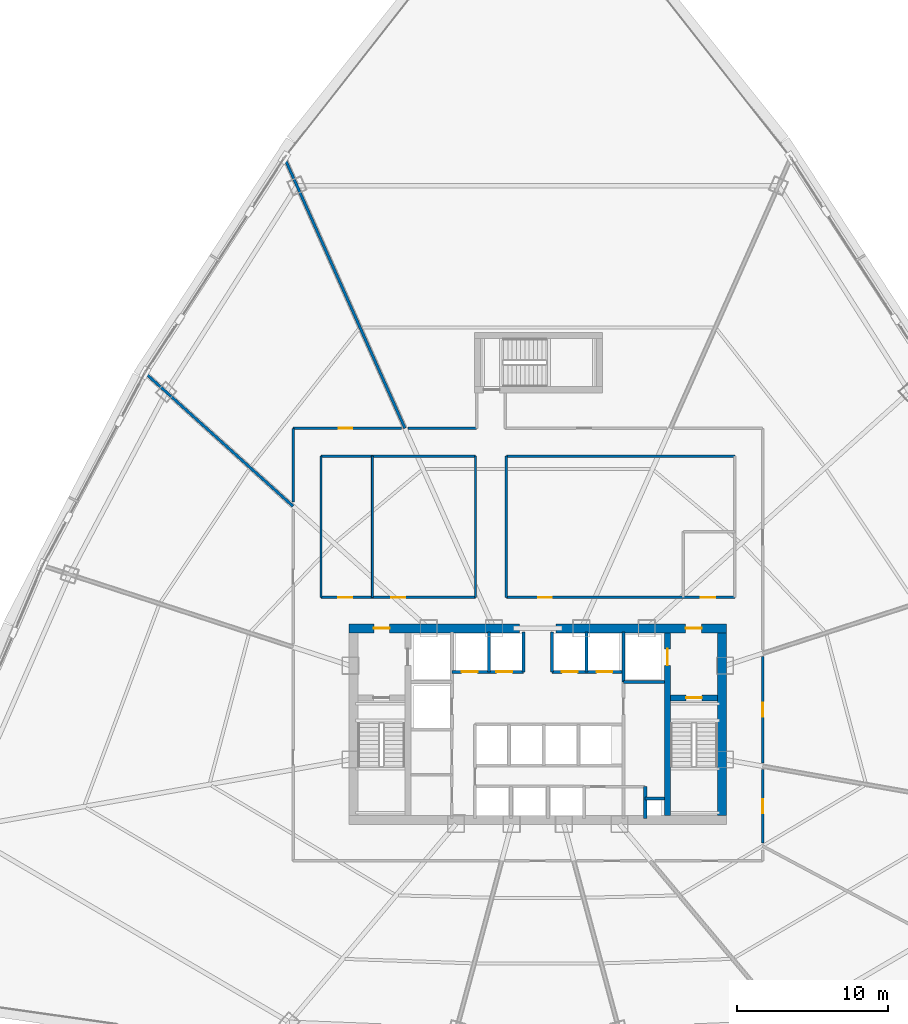
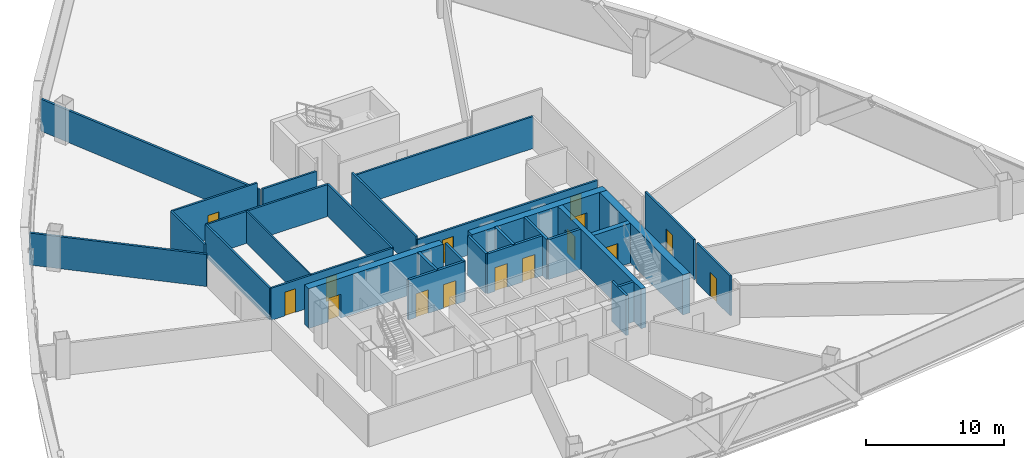
# One storey, part 33 of 39: 30 walls, 15 doors, 15 openings.
"""IFC4 building model written with IfcOpenShell, lengths in metres."""

from ifc_helpers import new_model, si_unit, direction, frame, frame_2d, origin, origin_with_axes, place, context, subcontext, project, spatial, rectangle, extrude, source, transform, mapped, material, layer, layer_set, type_object, element, fill, save


model = new_model("IFC4")

# Units and contexts
model_context = context("Model", 3, precision=1e-05, world=origin(), true_north=direction((0.0, 1.0)))
body_context = subcontext(model_context, "Body", "Model", "MODEL_VIEW")
ifc_project = project(units=[si_unit("LENGTHUNIT", "METRE"), si_unit("AREAUNIT", "SQUARE_METRE"), si_unit("VOLUMEUNIT", "CUBIC_METRE"), si_unit("PLANEANGLEUNIT", "RADIAN"), si_unit("MASSUNIT", "GRAM", prefix="KILO"), si_unit("THERMODYNAMICTEMPERATUREUNIT", "KELVIN"), si_unit("POWERUNIT", "WATT")], contexts=[model_context])

# Site, building, storey
site_placement = place(None, origin())
site = spatial("IfcSite", under=ifc_project, at=site_placement, CompositionType="ELEMENT")
building_placement = place(site_placement, origin())
building = spatial("IfcBuilding", under=site, at=building_placement, Name="Yunzhuo Pagoda Commons", CompositionType="ELEMENT")
storey_placement = place(building_placement, frame((0.0, 0.0, 96.3798828125)))
storey = spatial("IfcBuildingStorey", under=building, at=storey_placement, Name="L24", CompositionType="ELEMENT", Elevation=96.3798828125)

# Wall, opening, door
ifc_material_1 = material(Name="Concrete C60", Category="concrete")
ifc_layer_1 = layer(ifc_material_1, 0.60009765625)
ifc_layer_set_1 = layer_set([ifc_layer_1], Name="Concrete C60")
wall_type_1 = type_object("IfcWallType", Name="W-C02 Mid Core Shear Wall 600", PredefinedType="SHEAR", material=ifc_layer_set_1)
wall_1_placement = place(storey_placement, frame((35.5, 40.199951171875, 0.0), z_axis=(0.0, 0.0, 1.0), x_axis=(1.0, 0.0, 0.0)))
wall_1 = element("IfcWall", 1, at=wall_1_placement, inside=storey, type_object=wall_type_1, Name="L24 core shear wall NW", PredefinedType="SHEAR", context=body_context, shape_type="SweptSolid", body=[
    extrude(rectangle(XDim=11.300048828125, YDim=0.60009765625, at=frame_2d((5.64990234375, 0.0))), origin(), (0.0, 0.0, 1.0), 3.5400390625),
])
opening_1_placement = place(wall_1_placement, frame((1.64990234375, 0.0, 0.0)))
opening_1 = element("IfcOpeningElement", 2, at=opening_1_placement, cuts=wall_1, Name="Opening D-02", PredefinedType="OPENING", context=body_context, shape_type="SweptSolid", body=[
    extrude(rectangle(XDim=1.050048828125, YDim=2.10009765625, at=frame_2d((0.52490234375, 1.050048828125))), frame((0.0, 0.31005859375, 0.0), z_axis=(0.0, -1.0, 0.0), x_axis=(1.0, 0.0, 0.0)), (0.0, 0.0, 1.0), 0.6201171875),
])
ifc_material_2 = material(Name="Galvanized fire-resisting metal leaf")
door_type_1 = type_object("IfcDoorType", Name="D-02 Firefighting Lobby & Refuge Fire Door 1050x2100", OperationType="NOTDEFINED", PredefinedType="DOOR", material=ifc_material_2)
shared_shape_1 = source(origin(), body_context, "Body", "SweptSolid", [
    extrude(rectangle(XDim=1.050048828125, YDim=2.10009765625, at=frame_2d((0.52490234375, 1.050048828125))), frame((0.0, 0.02490234375, 0.0), z_axis=(0.0, -1.0, 0.0), x_axis=(1.0, 0.0, 0.0)), (0.0, 0.0, 1.0), 0.050048828125),
])
door_1_placement = place(opening_1_placement, frame((1.050048828125, 0.0, 0.0), z_axis=(0.0, 0.0, 1.0), x_axis=(-1.0, 0.0, 0.0)))
door_1 = element("IfcDoor", 3, at=door_1_placement, inside=storey, type_object=door_type_1, Name="L24 Firefighting Lobby 1 fire door", OperationType="SINGLE_SWING_LEFT", OverallHeight=2.10009765625, OverallWidth=1.050048828125, PredefinedType="DOOR", context=body_context, shape_type="MappedRepresentation", body=[
    mapped(shared_shape_1, transform((0.0, 0.0, 0.0), scale=1.0)),
])
fill(opening_1, door_1)

wall_2_placement = place(storey_placement, frame((49.199951171875, 40.199951171875, 0.0), z_axis=(0.0, 0.0, 1.0), x_axis=(1.0, 0.0, 0.0)))
wall_2 = element("IfcWall", 4, at=wall_2_placement, inside=storey, type_object=wall_type_1, Name="L24 core shear wall NE", PredefinedType="SHEAR", context=body_context, shape_type="SweptSolid", body=[
    extrude(rectangle(XDim=11.300048828125, YDim=0.60009765625, at=frame_2d((5.64990234375, 0.0))), origin(), (0.0, 0.0, 1.0), 3.5400390625),
])
opening_2_placement = place(wall_2_placement, frame((8.60009765625, 0.0, 0.0)))
opening_2 = element("IfcOpeningElement", 5, at=opening_2_placement, cuts=wall_2, Name="Opening D-02", PredefinedType="OPENING", context=body_context, shape_type="SweptSolid", body=[
    extrude(rectangle(XDim=1.050048828125, YDim=2.10009765625, at=frame_2d((0.52490234375, 1.050048828125))), frame((0.0, 0.31005859375, 0.0), z_axis=(0.0, -1.0, 0.0), x_axis=(1.0, 0.0, 0.0)), (0.0, 0.0, 1.0), 0.6201171875),
])
door_2_placement = place(opening_2_placement, frame((1.050048828125, 0.0, 0.0), z_axis=(0.0, 0.0, 1.0), x_axis=(-1.0, 0.0, 0.0)))
door_2 = element("IfcDoor", 6, at=door_2_placement, inside=storey, type_object=door_type_1, Name="L24 Firefighting Lobby 2 fire door", OperationType="SINGLE_SWING_RIGHT", OverallHeight=2.10009765625, OverallWidth=1.050048828125, PredefinedType="DOOR", context=body_context, shape_type="MappedRepresentation", body=[
    mapped(shared_shape_1, transform((0.0, 0.0, 0.0), scale=1.0)),
])
fill(opening_2, door_2)

# Wall
wall_3_placement = place(storey_placement, frame((60.199951171875, 27.800048828125, 0.0), z_axis=(0.0, 0.0, 1.0), x_axis=(0.0, 1.0, 0.0)))
element("IfcWall", 7, at=wall_3_placement, inside=storey, type_object=wall_type_1, Name="L24 core shear wall E", PredefinedType="SHEAR", context=body_context, shape_type="SweptSolid", body=[
    extrude(rectangle(XDim=12.099853515625, YDim=0.60009765625, at=frame_2d((6.0498046875, 0.0))), origin(), (0.0, 0.0, 1.0), 3.5400390625),
])

# Wall, openings, doors
ifc_material_3 = material(Name="Gypsum plasterboard on acoustic stud")
ifc_layer_2 = layer(ifc_material_3, 0.159912109375)
ifc_layer_set_2 = layer_set([ifc_layer_2], Name="Gypsum plasterboard on acoustic stud")
wall_type_2 = type_object("IfcWallType", Name="W-COR1 Tower Rated Corridor Wall 160", PredefinedType="PARTITIONING", material=ifc_layer_set_2)
wall_4_placement = place(storey_placement, frame((33.64990234375, 42.25, 0.0), z_axis=(0.0, 0.0, 1.0), x_axis=(1.0, 0.0, 0.0)))
wall_4 = element("IfcWall", 8, at=wall_4_placement, inside=storey, type_object=wall_type_2, Name="L24 interior wall IW-L24-ISLWS", PredefinedType="PARTITIONING", context=body_context, shape_type="SweptSolid", body=[
    extrude(rectangle(XDim=10.22998046875, YDim=0.159912109375, at=frame_2d((5.114990234375, 0.0))), origin(), (0.0, 0.0, 1.0), 2.840087890625),
])
opening_3_placement = place(wall_4_placement, frame((1.14990234375, 0.0, 0.0)))
opening_3 = element("IfcOpeningElement", 9, at=opening_3_placement, cuts=wall_4, Name="Opening D-04", PredefinedType="OPENING", context=body_context, shape_type="SweptSolid", body=[
    extrude(rectangle(XDim=0.919921875, YDim=2.10009765625, at=frame_2d((0.4599609375, 1.050048828125))), frame((0.0, 0.08984375, 0.0), z_axis=(0.0, -1.0, 0.0), x_axis=(1.0, 0.0, 0.0)), (0.0, 0.0, 1.0), 0.179931640625),
])
opening_4_placement = place(wall_4_placement, frame((4.64990234375, 0.0, 0.0)))
opening_4 = element("IfcOpeningElement", 10, at=opening_4_placement, cuts=wall_4, Name="Opening D-04", PredefinedType="OPENING", context=body_context, shape_type="SweptSolid", body=[
    extrude(rectangle(XDim=0.919921875, YDim=2.10009765625, at=frame_2d((0.4599609375, 1.050048828125))), frame((0.0, 0.08984375, 0.0), z_axis=(0.0, -1.0, 0.0), x_axis=(1.0, 0.0, 0.0)), (0.0, 0.0, 1.0), 0.179931640625),
])
ifc_material_4 = material(Name="Powder-coated aluminium and timber acoustic leaf", Category="wood")
door_type_2 = type_object("IfcDoorType", Name="D-04 Bedroom & Study Interior Door 920x2100", OperationType="NOTDEFINED", PredefinedType="DOOR", material=ifc_material_4)
shared_shape_2 = source(origin(), body_context, "Body", "SweptSolid", [
    extrude(rectangle(XDim=0.919921875, YDim=2.10009765625, at=frame_2d((0.4599609375, 1.050048828125))), frame((0.0, 0.02490234375, 0.0), z_axis=(0.0, -1.0, 0.0), x_axis=(1.0, 0.0, 0.0)), (0.0, 0.0, 1.0), 0.050048828125),
])
door_3_placement = place(opening_3_placement, frame((0.919921875, 0.0, 0.0), z_axis=(0.0, 0.0, 1.0), x_axis=(-1.0, 0.0, 0.0)))
door_3 = element("IfcDoor", 11, at=door_3_placement, inside=storey, type_object=door_type_2, Name="L24 laundry door", OperationType="SINGLE_SWING_LEFT", OverallHeight=2.10009765625, OverallWidth=0.919921875, PredefinedType="DOOR", context=body_context, shape_type="MappedRepresentation", body=[
    mapped(shared_shape_2, transform((0.0, 0.0, 0.0), scale=1.0)),
])
fill(opening_3, door_3)
door_4_placement = place(opening_4_placement, frame((0.919921875, 0.0, 0.0), z_axis=(0.0, 0.0, 1.0), x_axis=(-1.0, 0.0, 0.0)))
door_4 = element("IfcDoor", 12, at=door_4_placement, inside=storey, type_object=door_type_2, Name="L24 study commons W door", OperationType="SINGLE_SWING_RIGHT", OverallHeight=2.10009765625, OverallWidth=0.919921875, PredefinedType="DOOR", context=body_context, shape_type="MappedRepresentation", body=[
    mapped(shared_shape_2, transform((0.0, 0.0, 0.0), scale=1.0)),
])
fill(opening_4, door_4)

# Walls
wall_5_placement = place(storey_placement, frame((33.64990234375, 51.60009765625, 0.0), z_axis=(0.0, 0.0, 1.0), x_axis=(1.0, 0.0, 0.0)))
element("IfcWall", 13, at=wall_5_placement, inside=storey, type_object=wall_type_2, Name="L24 interior wall IW-L24-ISLWN", PredefinedType="PARTITIONING", context=body_context, shape_type="SweptSolid", body=[
    extrude(rectangle(XDim=10.22998046875, YDim=0.159912109375, at=frame_2d((5.114990234375, 0.0))), origin(), (0.0, 0.0, 1.0), 2.840087890625),
])
for number, where, z_axis, x_axis, name in (
    (14, (33.64990234375, 42.25, 0.0), (0.0, 0.0, 1.0), (0.0, 1.0, 0.0), "L24 interior wall IW-L24-ISLWW"),
    (15, (43.8798828125, 42.25, 0.0), (0.0, 0.0, 1.0), (0.0, 1.0, 0.0), "L24 interior wall IW-L24-ISLWE"),
):
    element("IfcWall", number, at=place(storey_placement, frame(where, z_axis=z_axis, x_axis=x_axis)), inside=storey, type_object=wall_type_2, Name=name, PredefinedType="PARTITIONING", context=body_context, shape_type="SweptSolid", body=[
        extrude(rectangle(XDim=9.35009765625, YDim=0.159912109375, at=frame_2d((4.675048828125, 0.0))), origin(), (0.0, 0.0, 1.0), 2.840087890625),
    ])

# Wall, openings, doors
wall_6_placement = place(storey_placement, frame((45.919921875, 42.25, 0.0), z_axis=(0.0, 0.0, 1.0), x_axis=(1.0, 0.0, 0.0)))
wall_6 = element("IfcWall", 16, at=wall_6_placement, inside=storey, type_object=wall_type_2, Name="L24 interior wall IW-L24-ISLES", PredefinedType="PARTITIONING", context=body_context, shape_type="SweptSolid", body=[
    extrude(rectangle(XDim=15.130126953125, YDim=0.159912109375, at=frame_2d((7.56494140625, 0.0))), origin(), (0.0, 0.0, 1.0), 2.840087890625),
])
opening_5_placement = place(wall_6_placement, frame((2.10009765625, 0.0, 0.0)))
opening_5 = element("IfcOpeningElement", 17, at=opening_5_placement, cuts=wall_6, Name="Opening D-04", PredefinedType="OPENING", context=body_context, shape_type="SweptSolid", body=[
    extrude(rectangle(XDim=0.919921875, YDim=2.10009765625, at=frame_2d((0.4599609375, 1.050048828125))), frame((0.0, 0.08984375, 0.0), z_axis=(0.0, -1.0, 0.0), x_axis=(1.0, 0.0, 0.0)), (0.0, 0.0, 1.0), 0.179931640625),
])
opening_6_placement = place(wall_6_placement, frame((12.8798828125, 0.0, 0.0)))
opening_6 = element("IfcOpeningElement", 18, at=opening_6_placement, cuts=wall_6, Name="Opening D-11", PredefinedType="OPENING", context=body_context, shape_type="SweptSolid", body=[
    extrude(rectangle(XDim=0.93994140625, YDim=2.10009765625, at=frame_2d((0.469970703125, 1.050048828125))), frame((0.0, 0.08984375, 0.0), z_axis=(0.0, -1.0, 0.0), x_axis=(1.0, 0.0, 0.0)), (0.0, 0.0, 1.0), 0.179931640625),
])
door_type_3 = type_object("IfcDoorType", Name="D-11 Accessible Washroom Fire Door 940x2100", OperationType="NOTDEFINED", PredefinedType="DOOR", material=ifc_material_2)
shared_shape_3 = source(origin(), body_context, "Body", "SweptSolid", [
    extrude(rectangle(XDim=0.93994140625, YDim=2.10009765625, at=frame_2d((0.469970703125, 1.050048828125))), frame((0.0, 0.02490234375, 0.0), z_axis=(0.0, -1.0, 0.0), x_axis=(1.0, 0.0, 0.0)), (0.0, 0.0, 1.0), 0.050048828125),
])
door_5_placement = place(opening_6_placement, frame((0.93994140625, 0.0, 0.0), z_axis=(0.0, 0.0, 1.0), x_axis=(-1.0, 0.0, 0.0)))
door_5 = element("IfcDoor", 19, at=door_5_placement, inside=storey, type_object=door_type_3, Name="L24 accessible WC door", OperationType="SINGLE_SWING_RIGHT", OverallHeight=2.10009765625, OverallWidth=0.93994140625, PredefinedType="DOOR", context=body_context, shape_type="MappedRepresentation", body=[
    mapped(shared_shape_3, transform((0.0, 0.0, 0.0), scale=1.0)),
])
fill(opening_6, door_5)
door_6_placement = place(opening_5_placement, frame((0.919921875, 0.0, 0.0), z_axis=(0.0, 0.0, 1.0), x_axis=(-1.0, 0.0, 0.0)))
door_6 = element("IfcDoor", 20, at=door_6_placement, inside=storey, type_object=door_type_2, Name="L24 reading commons door", OperationType="SINGLE_SWING_LEFT", OverallHeight=2.10009765625, OverallWidth=0.919921875, PredefinedType="DOOR", context=body_context, shape_type="MappedRepresentation", body=[
    mapped(shared_shape_2, transform((0.0, 0.0, 0.0), scale=1.0)),
])
fill(opening_5, door_6)

# Walls
wall_7_placement = place(storey_placement, frame((45.919921875, 51.60009765625, 0.0), z_axis=(0.0, 0.0, 1.0), x_axis=(1.0, 0.0, 0.0)))
element("IfcWall", 21, at=wall_7_placement, inside=storey, type_object=wall_type_2, Name="L24 interior wall IW-L24-ISLEN", PredefinedType="PARTITIONING", context=body_context, shape_type="SweptSolid", body=[
    extrude(rectangle(XDim=15.130126953125, YDim=0.159912109375, at=frame_2d((7.56494140625, 0.0))), origin(), (0.0, 0.0, 1.0), 2.840087890625),
])
wall_8_placement = place(storey_placement, frame((45.919921875, 42.25, 0.0), z_axis=(0.0, 0.0, 1.0), x_axis=(0.0, 1.0, 0.0)))
element("IfcWall", 22, at=wall_8_placement, inside=storey, type_object=wall_type_2, Name="L24 interior wall IW-L24-ISLEW", PredefinedType="PARTITIONING", context=body_context, shape_type="SweptSolid", body=[
    extrude(rectangle(XDim=9.35009765625, YDim=0.159912109375, at=frame_2d((4.675048828125, 0.0))), origin(), (0.0, 0.0, 1.0), 3.14013671875),
])
wall_9_placement = place(storey_placement, frame((31.800048828125, 48.58251953125, 0.0), z_axis=(0.0, 0.0, 1.0), x_axis=(0.0, 1.0, 0.0)))
element("IfcWall", 23, at=wall_9_placement, inside=storey, type_object=wall_type_2, Name="L24 interior wall IW-L24-CWL03", PredefinedType="PARTITIONING", context=body_context, shape_type="SweptSolid", body=[
    extrude(rectangle(XDim=4.867431640625, YDim=0.159912109375, at=frame_2d((2.43359375, 0.0))), origin(), (0.0, 0.0, 1.0), 3.5400390625),
])

# Wall, opening, door
wall_10_placement = place(storey_placement, frame((31.800048828125, 53.449951171875, 0.0), z_axis=(0.0, 0.0, 1.0), x_axis=(1.0, 0.0, 0.0)))
wall_10 = element("IfcWall", 24, at=wall_10_placement, inside=storey, type_object=wall_type_2, Name="L24 interior wall IW-L24-CWL04", PredefinedType="PARTITIONING", context=body_context, shape_type="SweptSolid", body=[
    extrude(rectangle(XDim=7.165771484375, YDim=0.159912109375, at=frame_2d((3.5830078125, 0.0))), origin(), (0.0, 0.0, 1.0), 3.5400390625),
])
opening_7_placement = place(wall_10_placement, frame((3.01318359375, 0.0, 0.0)))
opening_7 = element("IfcOpeningElement", 25, at=opening_7_placement, cuts=wall_10, Name="Opening D-04", PredefinedType="OPENING", context=body_context, shape_type="SweptSolid", body=[
    extrude(rectangle(XDim=0.919921875, YDim=2.10009765625, at=frame_2d((0.4599609375, 1.050048828125))), frame((0.0, 0.08984375, 0.0), z_axis=(0.0, -1.0, 0.0), x_axis=(1.0, 0.0, 0.0)), (0.0, 0.0, 1.0), 0.179931640625),
])
door_7_placement = place(opening_7_placement, origin_with_axes())
door_7 = element("IfcDoor", 26, at=door_7_placement, inside=storey, type_object=door_type_2, Name="L24 seminar room 04 door", OperationType="SINGLE_SWING_LEFT", OverallHeight=2.10009765625, OverallWidth=0.919921875, PredefinedType="DOOR", context=body_context, shape_type="MappedRepresentation", body=[
    mapped(shared_shape_2, transform((0.0, 0.0, 0.0), scale=1.0)),
])
fill(opening_7, door_7)

# Wall
wall_11_placement = place(storey_placement, frame((39.426513671875, 53.449951171875, 0.0), z_axis=(0.0, 0.0, 1.0), x_axis=(1.0, 0.0, 0.0)))
element("IfcWall", 27, at=wall_11_placement, inside=storey, type_object=wall_type_2, Name="L24 interior wall IW-L24-CWL05", PredefinedType="PARTITIONING", context=body_context, shape_type="SweptSolid", body=[
    extrude(rectangle(XDim=4.5234375, YDim=0.159912109375, at=frame_2d((2.26171875, 0.0))), origin(), (0.0, 0.0, 1.0), 2.840087890625),
])

# Wall, opening, door
wall_12_placement = place(storey_placement, frame((62.89990234375, 38.321533203125, 0.0), z_axis=(0.0, 0.0, 1.0), x_axis=(0.0, -1.0, 0.0)))
wall_12 = element("IfcWall", 28, at=wall_12_placement, inside=storey, type_object=wall_type_2, Name="L24 interior wall IW-L24-CWL11", PredefinedType="PARTITIONING", context=body_context, shape_type="SweptSolid", body=[
    extrude(rectangle(XDim=7.029052734375, YDim=0.159912109375, at=frame_2d((3.5146484375, 0.0))), origin(), (0.0, 0.0, 1.0), 3.5400390625),
])
opening_8_placement = place(wall_12_placement, frame((3.054443359375, 0.0, 0.0)))
opening_8 = element("IfcOpeningElement", 29, at=opening_8_placement, cuts=wall_12, Name="Opening D-04", PredefinedType="OPENING", context=body_context, shape_type="SweptSolid", body=[
    extrude(rectangle(XDim=0.919921875, YDim=2.10009765625, at=frame_2d((0.4599609375, 1.050048828125))), frame((0.0, 0.08984375, 0.0), z_axis=(0.0, -1.0, 0.0), x_axis=(1.0, 0.0, 0.0)), (0.0, 0.0, 1.0), 0.179931640625),
])
door_8_placement = place(opening_8_placement, origin_with_axes())
door_8 = element("IfcDoor", 30, at=door_8_placement, inside=storey, type_object=door_type_2, Name="L24 seminar room 01 door", OperationType="SINGLE_SWING_RIGHT", OverallHeight=2.10009765625, OverallWidth=0.919921875, PredefinedType="DOOR", context=body_context, shape_type="MappedRepresentation", body=[
    mapped(shared_shape_2, transform((0.0, 0.0, 0.0), scale=1.0)),
])
fill(opening_8, door_8)

wall_13_placement = place(storey_placement, frame((62.89990234375, 30.849365234375, 0.0), z_axis=(0.0, 0.0, 1.0), x_axis=(0.0, -1.0, 0.0)))
wall_13 = element("IfcWall", 31, at=wall_13_placement, inside=storey, type_object=wall_type_2, Name="L24 interior wall IW-L24-CWL12", PredefinedType="PARTITIONING", context=body_context, shape_type="SweptSolid", body=[
    extrude(rectangle(XDim=4.851806640625, YDim=0.159912109375, at=frame_2d((2.42578125, 0.0))), origin(), (0.0, 0.0, 1.0), 3.5400390625),
])
opening_9_placement = place(wall_13_placement, frame((1.94921875, 0.0, 0.0)))
opening_9 = element("IfcOpeningElement", 32, at=opening_9_placement, cuts=wall_13, Name="Opening D-06", PredefinedType="OPENING", context=body_context, shape_type="SweptSolid", body=[
    extrude(rectangle(XDim=0.949951171875, YDim=2.10009765625, at=frame_2d((0.47509765625, 1.050048828125))), frame((0.0, 0.08984375, 0.0), z_axis=(0.0, -1.0, 0.0), x_axis=(1.0, 0.0, 0.0)), (0.0, 0.0, 1.0), 0.179931640625),
])
door_type_4 = type_object("IfcDoorType", Name="D-06 Co-Living Suite Entrance Fire Door 950x2100", OperationType="NOTDEFINED", PredefinedType="DOOR", material=ifc_material_2)
shared_shape_4 = source(origin(), body_context, "Body", "SweptSolid", [
    extrude(rectangle(XDim=0.949951171875, YDim=2.10009765625, at=frame_2d((0.47509765625, 1.050048828125))), frame((0.0, 0.02490234375, 0.0), z_axis=(0.0, -1.0, 0.0), x_axis=(1.0, 0.0, 0.0)), (0.0, 0.0, 1.0), 0.050048828125),
])
door_9_placement = place(opening_9_placement, origin_with_axes())
door_9 = element("IfcDoor", 33, at=door_9_placement, inside=storey, type_object=door_type_4, Name="L24 unit 10 entrance door", OperationType="SINGLE_SWING_LEFT", OverallHeight=2.10009765625, OverallWidth=0.949951171875, PredefinedType="DOOR", context=body_context, shape_type="MappedRepresentation", body=[
    mapped(shared_shape_4, transform((0.0, 0.0, 0.0), scale=1.0)),
])
fill(opening_9, door_9)

# Walls
ifc_layer_3 = layer(ifc_material_3, 0.1201171875)
ifc_layer_set_3 = layer_set([ifc_layer_3], Name="Gypsum plasterboard on acoustic stud")
wall_type_3 = type_object("IfcWallType", Name="W-PRT1 Suite & Bathroom Partition 120", PredefinedType="PARTITIONING", material=ifc_layer_set_3)
wall_14_placement = place(storey_placement, frame((37.050048828125, 42.25, 0.0), z_axis=(0.0, 0.0, 1.0), x_axis=(0.0, 1.0, 0.0)))
element("IfcWall", 34, at=wall_14_placement, inside=storey, type_object=wall_type_3, Name="L24 interior wall IW-L24-ISLW1", PredefinedType="PARTITIONING", context=body_context, shape_type="SweptSolid", body=[
    extrude(rectangle(XDim=9.35009765625, YDim=0.1201171875, at=frame_2d((4.675048828125, 0.0))), origin(), (0.0, 0.0, 1.0), 2.840087890625),
])
ifc_layer_4 = layer(ifc_material_3, 0.179931640625)
ifc_layer_set_4 = layer_set([ifc_layer_4], Name="Gypsum plasterboard on acoustic stud")
wall_type_4 = type_object("IfcWallType", Name="W-PRT2 Acoustic Unit Demising Wall 180", PredefinedType="PARTITIONING", material=ifc_layer_set_4)
wall_15_placement = place(storey_placement, frame((39.206787109375, 53.449951171875, 0.0), z_axis=(0.0, 0.0, 1.0), x_axis=(-0.406741294252, 0.913543386791, 0.0)))
element("IfcWall", 35, at=wall_15_placement, inside=storey, type_object=wall_type_4, Name="L24 interior wall IW-L24-RAD03", PredefinedType="PARTITIONING", context=body_context, shape_type="SweptSolid", body=[
    extrude(rectangle(XDim=19.612060546875, YDim=0.179931640625, at=frame_2d((9.80615234375, 0.0))), origin(), (0.0, 0.0, 1.0), 2.840087890625),
])
wall_16_placement = place(storey_placement, frame((31.800048828125, 48.28662109375, 0.0), z_axis=(0.0, 0.0, 1.0), x_axis=(-0.74315159846, 0.669123084123, 0.0)))
element("IfcWall", 36, at=wall_16_placement, inside=storey, type_object=wall_type_4, Name="L24 interior wall IW-L24-RAD04", PredefinedType="PARTITIONING", context=body_context, shape_type="SweptSolid", body=[
    extrude(rectangle(XDim=13.20166015625, YDim=0.179931640625, at=frame_2d((6.600830078125, 0.0))), origin(), (0.0, 0.0, 1.0), 2.840087890625),
])

# Wall, opening, door
ifc_layer_5 = layer(ifc_material_1, 0.39990234375)
ifc_layer_set_5 = layer_set([ifc_layer_5], Name="Concrete C60")
wall_type_5 = type_object("IfcWallType", Name="W-S01 Internal Core Shear Web 400", PredefinedType="SHEAR", material=ifc_layer_set_5)
wall_17_placement = place(storey_placement, frame((56.60009765625, 27.800048828125, 0.0), z_axis=(0.0, 0.0, 1.0), x_axis=(0.0, 1.0, 0.0)))
wall_17 = element("IfcWall", 37, at=wall_17_placement, inside=storey, type_object=wall_type_5, Name="L24 core shear wall WEBE", PredefinedType="SHEAR", context=body_context, shape_type="SweptSolid", body=[
    extrude(rectangle(XDim=12.099853515625, YDim=0.39990234375, at=frame_2d((6.0498046875, 0.0))), origin(), (0.0, 0.0, 1.0), 3.5400390625),
])
opening_10_placement = place(wall_17_placement, frame((9.949951171875, 0.0, 0.0)))
opening_10 = element("IfcOpeningElement", 38, at=opening_10_placement, cuts=wall_17, Name="Opening LD-01", PredefinedType="OPENING", context=body_context, shape_type="SweptSolid", body=[
    extrude(rectangle(XDim=1.10009765625, YDim=2.10009765625, at=frame_2d((0.550048828125, 1.050048828125))), frame((0.0, 0.2099609375, 0.0), z_axis=(0.0, -1.0, 0.0), x_axis=(1.0, 0.0, 0.0)), (0.0, 0.0, 1.0), 0.419921875),
])
door_type_5 = type_object("IfcDoorType", Name="LD-01 Firefighting Lift Landing Door 1100x2100", OperationType="DOUBLE_DOOR_SLIDING", PredefinedType="DOOR", material=ifc_material_2)
shared_shape_5 = source(origin(), body_context, "Body", "SweptSolid", [
    extrude(rectangle(XDim=1.10009765625, YDim=2.10009765625, at=frame_2d((0.550048828125, 1.050048828125))), frame((0.0, 0.02490234375, 0.0), z_axis=(0.0, -1.0, 0.0), x_axis=(1.0, 0.0, 0.0)), (0.0, 0.0, 1.0), 0.050048828125),
])
door_10_placement = place(opening_10_placement, origin_with_axes())
door_10 = element("IfcDoor", 39, at=door_10_placement, inside=storey, type_object=door_type_5, Name="L24 Firefighting lift FL-2 landing door", OperationType="DOUBLE_DOOR_SLIDING", OverallHeight=2.10009765625, OverallWidth=1.10009765625, PredefinedType="DOOR", context=body_context, shape_type="MappedRepresentation", body=[
    mapped(shared_shape_5, transform((0.0, 0.0, 0.0), scale=1.0)),
])
fill(opening_10, door_10)

wall_18_placement = place(storey_placement, frame((56.800048828125, 35.60009765625, 0.0), z_axis=(0.0, 0.0, 1.0), x_axis=(1.0, 0.0, 0.0)))
wall_18 = element("IfcWall", 40, at=wall_18_placement, inside=storey, type_object=wall_type_5, Name="L24 core shear wall STE", PredefinedType="SHEAR", context=body_context, shape_type="SweptSolid", body=[
    extrude(rectangle(XDim=3.099853515625, YDim=0.39990234375, at=frame_2d((1.5498046875, 0.0))), origin(), (0.0, 0.0, 1.0), 3.5400390625),
])
opening_11_placement = place(wall_18_placement, frame((1.02001953125, 0.0, 0.0)))
opening_11 = element("IfcOpeningElement", 41, at=opening_11_placement, cuts=wall_18, Name="Opening D-01", PredefinedType="OPENING", context=body_context, shape_type="SweptSolid", body=[
    extrude(rectangle(XDim=1.050048828125, YDim=2.10009765625, at=frame_2d((0.52490234375, 1.050048828125))), frame((0.0, 0.2099609375, 0.0), z_axis=(0.0, -1.0, 0.0), x_axis=(1.0, 0.0, 0.0)), (0.0, 0.0, 1.0), 0.419921875),
])
door_type_6 = type_object("IfcDoorType", Name="D-01 Smokeproof Stair Fire Door 1050x2100", OperationType="NOTDEFINED", PredefinedType="DOOR", material=ifc_material_2)
door_11_placement = place(opening_11_placement, frame((1.050048828125, 0.0, 0.0), z_axis=(0.0, 0.0, 1.0), x_axis=(-1.0, 0.0, 0.0)))
door_11 = element("IfcDoor", 42, at=door_11_placement, inside=storey, type_object=door_type_6, Name="L24 Stair ST2 fire door", OperationType="SINGLE_SWING_RIGHT", OverallHeight=2.10009765625, OverallWidth=1.050048828125, PredefinedType="DOOR", context=body_context, shape_type="MappedRepresentation", body=[
    mapped(shared_shape_1, transform((0.0, 0.0, 0.0), scale=1.0)),
])
fill(opening_11, door_11)

# Walls
ifc_material_5 = material(Name="Concrete C40", Category="concrete")
ifc_layer_6 = layer(ifc_material_5, 0.199951171875)
ifc_layer_set_6 = layer_set([ifc_layer_6], Name="Concrete C40")
wall_type_6 = type_object("IfcWallType", Name="W-SHF Shaft & Stair Enclosure Wall 200", PredefinedType="SOLIDWALL", material=ifc_layer_set_6)
wall_19_placement = place(storey_placement, frame((53.679931640625, 36.64990234375, 0.0), z_axis=(0.0, 0.0, 1.0), x_axis=(0.0, 1.0, 0.0)))
element("IfcWall", 43, at=wall_19_placement, inside=storey, type_object=wall_type_6, Name="L24 interior wall IW-L24-FL2W", PredefinedType="SOLIDWALL", context=body_context, shape_type="SweptSolid", body=[
    extrude(rectangle(XDim=3.300048828125, YDim=0.199951171875, at=frame_2d((1.64990234375, 0.0))), origin(), (0.0, 0.0, 1.0), 3.5400390625),
])
wall_20_placement = place(storey_placement, frame((53.679931640625, 36.64990234375, 0.0), z_axis=(0.0, 0.0, 1.0), x_axis=(1.0, 0.0, 0.0)))
element("IfcWall", 44, at=wall_20_placement, inside=storey, type_object=wall_type_6, Name="L24 interior wall IW-L24-FL2S", PredefinedType="SOLIDWALL", context=body_context, shape_type="SweptSolid", body=[
    extrude(rectangle(XDim=2.719970703125, YDim=0.199951171875, at=frame_2d((1.35986328125, 0.0))), origin(), (0.0, 0.0, 1.0), 3.5400390625),
])

# Wall, openings, doors
wall_21_placement = place(storey_placement, frame((42.320068359375, 37.320068359375, 0.0), z_axis=(0.0, 0.0, 1.0), x_axis=(1.0, 0.0, 0.0)))
wall_21 = element("IfcWall", 45, at=wall_21_placement, inside=storey, type_object=wall_type_6, Name="L24 interior wall IW-L24-LBNW", PredefinedType="SOLIDWALL", context=body_context, shape_type="SweptSolid", body=[
    extrude(rectangle(XDim=4.72998046875, YDim=0.199951171875, at=frame_2d((2.364990234375, 0.0))), origin(), (0.0, 0.0, 1.0), 3.5400390625),
])
opening_12_placement = place(wall_21_placement, frame((0.64990234375, 0.0, 0.0)))
opening_12 = element("IfcOpeningElement", 46, at=opening_12_placement, cuts=wall_21, Name="Opening LD-02", PredefinedType="OPENING", context=body_context, shape_type="SweptSolid", body=[
    extrude(rectangle(XDim=1.050048828125, YDim=2.10009765625, at=frame_2d((0.52490234375, 1.050048828125))), frame((0.0, 0.10986328125, 0.0), z_axis=(0.0, -1.0, 0.0), x_axis=(1.0, 0.0, 0.0)), (0.0, 0.0, 1.0), 0.219970703125),
])
opening_13_placement = place(wall_21_placement, frame((2.949951171875, 0.0, 0.0)))
opening_13 = element("IfcOpeningElement", 47, at=opening_13_placement, cuts=wall_21, Name="Opening LD-02", PredefinedType="OPENING", context=body_context, shape_type="SweptSolid", body=[
    extrude(rectangle(XDim=1.050048828125, YDim=2.10009765625, at=frame_2d((0.52490234375, 1.050048828125))), frame((0.0, 0.10986328125, 0.0), z_axis=(0.0, -1.0, 0.0), x_axis=(1.0, 0.0, 0.0)), (0.0, 0.0, 1.0), 0.219970703125),
])
door_type_7 = type_object("IfcDoorType", Name="LD-02 Passenger Lift Landing Door 1050x2100", OperationType="DOUBLE_DOOR_SLIDING", PredefinedType="DOOR", material=ifc_material_2)
door_12_placement = place(opening_12_placement, frame((1.050048828125, 0.0, 0.0), z_axis=(0.0, 0.0, 1.0), x_axis=(-1.0, 0.0, 0.0)))
door_12 = element("IfcDoor", 48, at=door_12_placement, inside=storey, type_object=door_type_7, Name="L24 Passenger lift PL-L1 landing door", OperationType="DOUBLE_DOOR_SLIDING", OverallHeight=2.10009765625, OverallWidth=1.050048828125, PredefinedType="DOOR", context=body_context, shape_type="MappedRepresentation", body=[
    mapped(shared_shape_1, transform((0.0, 0.0, 0.0), scale=1.0)),
])
fill(opening_12, door_12)
door_13_placement = place(opening_13_placement, frame((1.050048828125, 0.0, 0.0), z_axis=(0.0, 0.0, 1.0), x_axis=(-1.0, 0.0, 0.0)))
door_13 = element("IfcDoor", 49, at=door_13_placement, inside=storey, type_object=door_type_7, Name="L24 Passenger lift PL-L2 landing door", OperationType="DOUBLE_DOOR_SLIDING", OverallHeight=2.10009765625, OverallWidth=1.050048828125, PredefinedType="DOOR", context=body_context, shape_type="MappedRepresentation", body=[
    mapped(shared_shape_1, transform((0.0, 0.0, 0.0), scale=1.0)),
])
fill(opening_13, door_13)

wall_22_placement = place(storey_placement, frame((48.949951171875, 37.320068359375, 0.0), z_axis=(0.0, 0.0, 1.0), x_axis=(1.0, 0.0, 0.0)))
wall_22 = element("IfcWall", 50, at=wall_22_placement, inside=storey, type_object=wall_type_6, Name="L24 interior wall IW-L24-LBNE", PredefinedType="SOLIDWALL", context=body_context, shape_type="SweptSolid", body=[
    extrude(rectangle(XDim=4.72998046875, YDim=0.199951171875, at=frame_2d((2.364990234375, 0.0))), origin(), (0.0, 0.0, 1.0), 3.5400390625),
])
opening_14_placement = place(wall_22_placement, frame((0.64990234375, 0.0, 0.0)))
opening_14 = element("IfcOpeningElement", 51, at=opening_14_placement, cuts=wall_22, Name="Opening LD-02", PredefinedType="OPENING", context=body_context, shape_type="SweptSolid", body=[
    extrude(rectangle(XDim=1.050048828125, YDim=2.10009765625, at=frame_2d((0.52490234375, 1.050048828125))), frame((0.0, 0.10986328125, 0.0), z_axis=(0.0, -1.0, 0.0), x_axis=(1.0, 0.0, 0.0)), (0.0, 0.0, 1.0), 0.219970703125),
])
opening_15_placement = place(wall_22_placement, frame((2.949951171875, 0.0, 0.0)))
opening_15 = element("IfcOpeningElement", 52, at=opening_15_placement, cuts=wall_22, Name="Opening LD-02", PredefinedType="OPENING", context=body_context, shape_type="SweptSolid", body=[
    extrude(rectangle(XDim=1.050048828125, YDim=2.10009765625, at=frame_2d((0.52490234375, 1.050048828125))), frame((0.0, 0.10986328125, 0.0), z_axis=(0.0, -1.0, 0.0), x_axis=(1.0, 0.0, 0.0)), (0.0, 0.0, 1.0), 0.219970703125),
])
door_14_placement = place(opening_14_placement, frame((1.050048828125, 0.0, 0.0), z_axis=(0.0, 0.0, 1.0), x_axis=(-1.0, 0.0, 0.0)))
door_14 = element("IfcDoor", 53, at=door_14_placement, inside=storey, type_object=door_type_7, Name="L24 Passenger lift PL-L3 landing door", OperationType="DOUBLE_DOOR_SLIDING", OverallHeight=2.10009765625, OverallWidth=1.050048828125, PredefinedType="DOOR", context=body_context, shape_type="MappedRepresentation", body=[
    mapped(shared_shape_1, transform((0.0, 0.0, 0.0), scale=1.0)),
])
fill(opening_14, door_14)
door_15_placement = place(opening_15_placement, frame((1.050048828125, 0.0, 0.0), z_axis=(0.0, 0.0, 1.0), x_axis=(-1.0, 0.0, 0.0)))
door_15 = element("IfcDoor", 54, at=door_15_placement, inside=storey, type_object=door_type_7, Name="L24 Passenger lift PL-L4 landing door", OperationType="DOUBLE_DOOR_SLIDING", OverallHeight=2.10009765625, OverallWidth=1.050048828125, PredefinedType="DOOR", context=body_context, shape_type="MappedRepresentation", body=[
    mapped(shared_shape_1, transform((0.0, 0.0, 0.0), scale=1.0)),
])
fill(opening_15, door_15)

# Walls
for number, where, z_axis, x_axis, name in (
    (55, (47.050048828125, 37.320068359375, 0.0), (0.0, 0.0, 1.0), (0.0, 1.0, 0.0), "L24 interior wall IW-L24-THRW"),
    (56, (48.949951171875, 37.320068359375, 0.0), (0.0, 0.0, 1.0), (0.0, 1.0, 0.0), "L24 interior wall IW-L24-THRE"),
    (57, (44.77001953125, 37.320068359375, 0.0), (0.0, 0.0, 1.0), (0.0, 1.0, 0.0), "L24 interior wall IW-L24-PLL12"),
    (58, (51.22998046875, 37.320068359375, 0.0), (0.0, 0.0, 1.0), (0.0, 1.0, 0.0), "L24 interior wall IW-L24-PLL34"),
):
    element("IfcWall", number, at=place(storey_placement, frame(where, z_axis=z_axis, x_axis=x_axis)), inside=storey, type_object=wall_type_6, Name=name, PredefinedType="SOLIDWALL", context=body_context, shape_type="SweptSolid", body=[
        extrude(rectangle(XDim=2.6298828125, YDim=0.199951171875, at=frame_2d((1.31494140625, 0.0))), origin(), (0.0, 0.0, 1.0), 3.5400390625),
    ])
wall_23_placement = place(storey_placement, frame((55.1201171875, 27.60009765625, 0.0), z_axis=(0.0, 0.0, 1.0), x_axis=(0.0, 1.0, 0.0)))
element("IfcWall", 59, at=wall_23_placement, inside=storey, type_object=wall_type_6, Name="L24 interior wall IW-L24-RSHFW", PredefinedType="SOLIDWALL", context=body_context, shape_type="SweptSolid", body=[
    extrude(rectangle(XDim=2.119873046875, YDim=0.199951171875, at=frame_2d((1.06005859375, 0.0))), origin(), (0.0, 0.0, 1.0), 3.5400390625),
])
wall_24_placement = place(storey_placement, frame((55.1201171875, 28.949951171875, 0.0), z_axis=(0.0, 0.0, 1.0), x_axis=(1.0, 0.0, 0.0)))
element("IfcWall", 60, at=wall_24_placement, inside=storey, type_object=wall_type_6, Name="L24 interior wall IW-L24-RSHFN", PredefinedType="SOLIDWALL", context=body_context, shape_type="SweptSolid", body=[
    extrude(rectangle(XDim=1.27978515625, YDim=0.199951171875, at=frame_2d((0.639892578125, 0.0))), origin(), (0.0, 0.0, 1.0), 3.5400390625),
])

save(model, "model.ifc")
